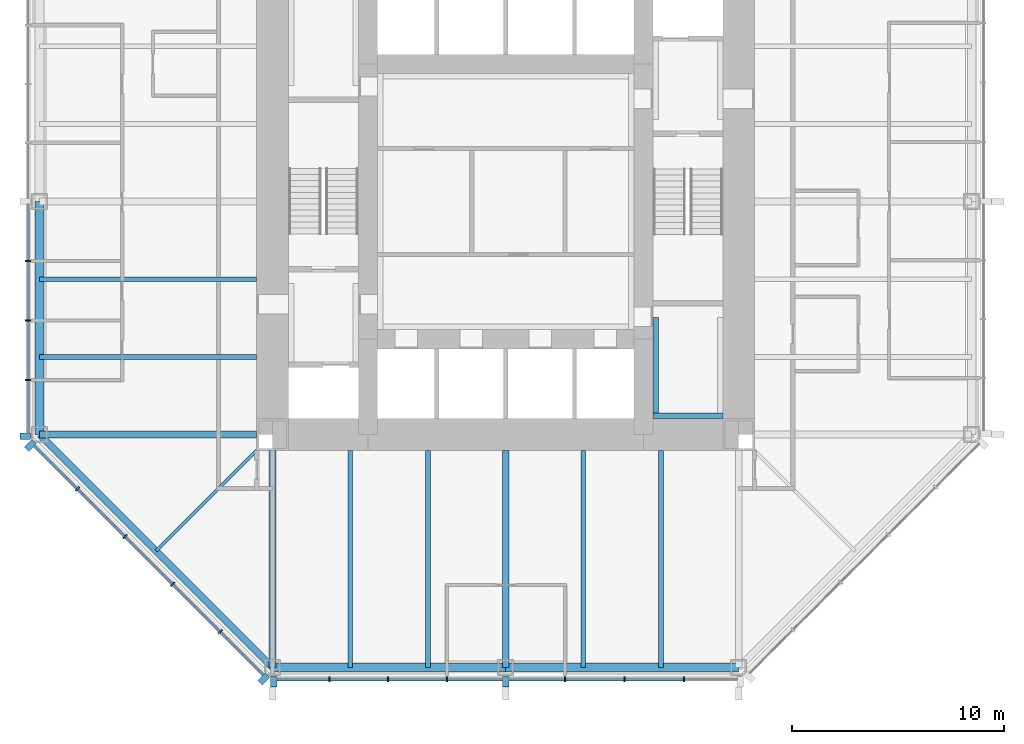
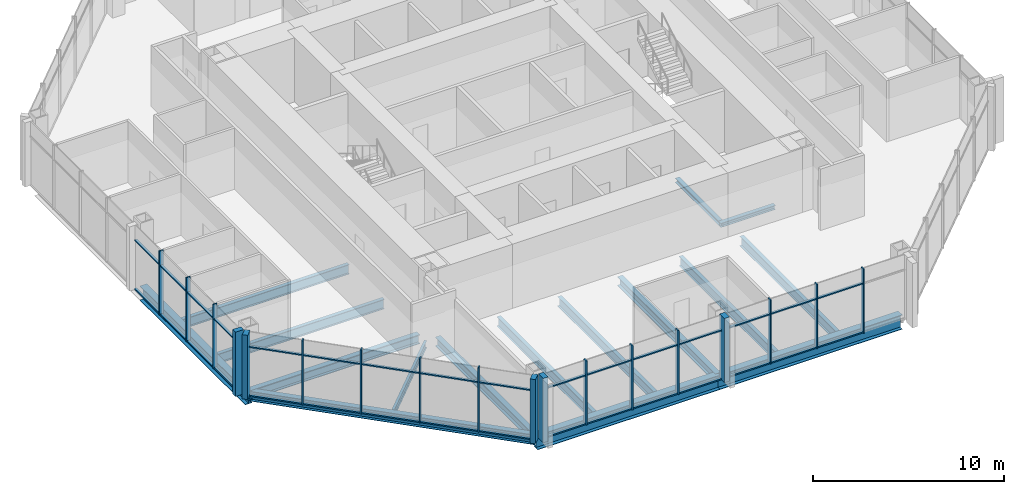
# One storey, part 2 of 12: 50 members, 16 beams, 3 elements without a shape of their own.
"""IFC4 building model written with IfcOpenShell, lengths in metres."""

import ifcopenshell
import ifcopenshell.guid

model = None  # the IFC model being written
_history = None  # IfcOwnerHistory: only IFC2X3 demands one
_inside = {}  # id of a spatial element -> (the spatial element, [elements in it])
_under = {}  # id of a project, library or spatial element -> (it, [spatial elements below it])
_declared = {}  # id of a project -> (the project, [libraries it declares])
_typed = {}  # id of a type object -> (the type object, [elements of that type])
_made_of = {}  # id of a material, layer set ... -> (it, [elements and type objects made of it])


def new_model(schema):
    """Start an empty IFC model of exactly this schema.

    Asked for "IFC4X3", IfcOpenShell would pick the latest addendum, in which some entities
    have other attributes; the version numbers below select the first issue.
    IFC2X3 requires an IfcOwnerHistory on every rooted entity: one is made here for all.
    """
    global model, _history
    if schema == "IFC4X3":
        model = ifcopenshell.file(schema_version=(4, 3, 0, 0))
    else:
        model = ifcopenshell.file(schema=schema)
    _inside.clear()
    _under.clear()
    _declared.clear()
    _typed.clear()
    _made_of.clear()
    _history = None
    if model.schema == "IFC2X3":
        org = make("IfcOrganization", Name="unknown")
        user = make(
            "IfcPersonAndOrganization",
            ThePerson=make("IfcPerson", FamilyName="unknown"),
            TheOrganization=org,
        )
        app = make(
            "IfcApplication",
            ApplicationDeveloper=org,
            Version="unknown",
            ApplicationFullName="unknown",
            ApplicationIdentifier="unknown",
        )
        _history = make(
            "IfcOwnerHistory",
            OwningUser=user,
            OwningApplication=app,
            ChangeAction="ADDED",
            CreationDate=0,
        )
    return model


def make(cls, **values):
    """One entity of the class cls with the attributes given. An attribute that is None is left unset."""
    return model.create_entity(
        cls, **{name: value for name, value in values.items() if value is not None}
    )


def rooted(cls, **values):
    """An entity with a GlobalId (a new one), such as an element, a storey or a relation."""
    return make(cls, GlobalId=ifcopenshell.guid.new(), OwnerHistory=_history, **values)


def si_unit(unit_type, name, prefix=None):
    """IfcSIUnit, for example si_unit("LENGTHUNIT", "METRE", prefix="MILLI")."""
    return make("IfcSIUnit", UnitType=unit_type, Prefix=prefix, Name=name)


def assignment(units):
    """IfcUnitAssignment: the units of a project."""
    return None if units is None else make("IfcUnitAssignment", Units=units)


def point(xyz):
    """IfcCartesianPoint."""
    return None if xyz is None else make("IfcCartesianPoint", Coordinates=xyz)


def direction(xyz):
    """IfcDirection."""
    return None if xyz is None else make("IfcDirection", DirectionRatios=xyz)


def frame(location, z_axis=None, x_axis=None):
    """IfcAxis2Placement3D, a coordinate frame: its origin and axes. An axis left out is left unset."""
    return make(
        "IfcAxis2Placement3D",
        Location=point(location),
        Axis=direction(z_axis),
        RefDirection=direction(x_axis),
    )


def frame_2d(location, x_axis=None):
    """IfcAxis2Placement2D, a coordinate frame in the plane: its origin and x axis."""
    return make(
        "IfcAxis2Placement2D", Location=point(location), RefDirection=direction(x_axis)
    )


def origin():
    """The frame at (0, 0, 0) with its axes left unset."""
    return frame((0.0, 0.0, 0.0))


def origin_2d():
    """The frame at (0, 0) in the plane with its x axis left unset."""
    return frame_2d((0.0, 0.0))


def place(relative_to, where):
    """IfcLocalPlacement: puts the frame where relative to a parent placement (None: the world)."""
    return make(
        "IfcLocalPlacement", PlacementRelTo=relative_to, RelativePlacement=where
    )


def context(
    kind, dimensions, precision=None, world=None, true_north=None, identifier=None
):
    """IfcGeometricRepresentationContext, for example the 3D "Model" context."""
    return make(
        "IfcGeometricRepresentationContext",
        ContextIdentifier=identifier,
        ContextType=kind,
        CoordinateSpaceDimension=dimensions,
        Precision=precision,
        WorldCoordinateSystem=world,
        TrueNorth=true_north,
    )


def subcontext(parent, identifier, kind, view, scale=None):
    """IfcGeometricRepresentationSubContext, for example "Body" below "Model"."""
    return make(
        "IfcGeometricRepresentationSubContext",
        ContextIdentifier=identifier,
        ContextType=kind,
        ParentContext=parent,
        TargetScale=scale,
        TargetView=view,
    )


def project(units=None, contexts=None):
    """IfcProject with its units and contexts."""
    return rooted(
        "IfcProject",
        Name="project",
        RepresentationContexts=contexts,
        UnitsInContext=assignment(units),
    )


def spatial(cls, under=None, at=None, **own):
    """A site, building, storey or space (cls), placed at a placement, below another one or the project."""
    s = rooted(cls, ObjectPlacement=at, **own)
    if under is not None:
        _under.setdefault(under.id(), (under, []))[1].append(s)
    return s


def profile(cls, at=None, kind="AREA", **sizes):
    """A parametric profile (cls). Its sizes go by their IFC names, for example OverallWidth=200.0."""
    return make(cls, ProfileType=kind, Position=at, **sizes)


def rectangle(**sizes):
    """IfcRectangleProfileDef."""
    return profile("IfcRectangleProfileDef", **sizes)


def i_section(**sizes):
    """IfcIShapeProfileDef."""
    return profile("IfcIShapeProfileDef", **sizes)


def extrude(swept, where, along, depth):
    """IfcExtrudedAreaSolid: the profile swept, set in the frame where, extruded along a direction by depth."""
    return make(
        "IfcExtrudedAreaSolid",
        SweptArea=swept,
        Position=where,
        ExtrudedDirection=direction(along),
        Depth=depth,
    )


def shape(context_of_items, identifier, shape_type, items):
    """IfcShapeRepresentation: the items that make up one representation, for example the "Body"."""
    return make(
        "IfcShapeRepresentation",
        ContextOfItems=context_of_items,
        RepresentationIdentifier=identifier,
        RepresentationType=shape_type,
        Items=items,
    )


def material(Name=None, Category=None):
    """IfcMaterial."""
    return make("IfcMaterial", Name=Name, Category=Category)


def material_profile(
    of_material, cross_section, Name=None, Category=None, Priority=None
):
    """IfcMaterialProfile: a cross section and its material."""
    return make(
        "IfcMaterialProfile",
        Name=Name,
        Material=of_material,
        Profile=cross_section,
        Priority=Priority,
        Category=Category,
    )


def profile_set(profiles, Name=None, composite=None):
    """IfcMaterialProfileSet."""
    return make(
        "IfcMaterialProfileSet",
        Name=Name,
        MaterialProfiles=profiles,
        CompositeProfile=composite,
    )


def made_of(thing, what):
    """Note that an element or type object is made of a material, layer set ...; save() writes the relation."""
    if what is not None:
        _made_of.setdefault(what.id(), (what, []))[1].append(thing)
    return thing


def type_object(cls, material=None, **own):
    """A type object (cls), such as IfcWallType, which elements share."""
    return made_of(rooted(cls, **own), material)


def element(
    cls,
    number,
    at=None,
    inside=None,
    cuts=None,
    type_object=None,
    material=None,
    context=None,
    identifier="Body",
    shape_type=None,
    held_by="IfcProductDefinitionShape",
    body=None,
    shapes=None,
    **own,
):
    """One element of the class cls, such as IfcWall. Its Tag is "e" and its number.

    at: its placement. inside: the storey or other place that contains it. cuts: it is an
    opening in that element (IfcRelVoidsElement). A single representation is given by context,
    identifier, shape_type and body (its items); several are given by shapes. held_by: the class
    of the entity that holds the representations. save() writes the other relations.
    """
    e = rooted(cls, Tag="e%d" % number, ObjectPlacement=at, **own)
    if body is not None:
        shapes = [shape(context, identifier, shape_type, body)]
    if shapes is not None:
        e.Representation = make(held_by, Representations=shapes)
    if inside is not None:
        _inside.setdefault(inside.id(), (inside, []))[1].append(e)
    if cuts is not None:
        rooted(
            "IfcRelVoidsElement", RelatingBuildingElement=cuts, RelatedOpeningElement=e
        )
    if type_object is not None:
        _typed.setdefault(type_object.id(), (type_object, []))[1].append(e)
    return made_of(e, material)


def aggregate(whole, parts):
    """IfcRelAggregates: a whole, such as a stair, and the parts it consists of."""
    return rooted("IfcRelAggregates", RelatingObject=whole, RelatedObjects=parts)


def save(model, path):
    """Write the relations noted so far, then the file.

    IfcRelAggregates (storeys below a building ...), IfcRelContainedInSpatialStructure (elements
    in a storey), IfcRelDefinesByType, IfcRelAssociatesMaterial and IfcRelDeclares: one each for
    every whole, place, type object, material and project.
    """
    for whole, parts in _under.values():
        aggregate(whole, parts)
    for where, things in _inside.values():
        rooted(
            "IfcRelContainedInSpatialStructure",
            RelatedElements=things,
            RelatingStructure=where,
        )
    for kind, things in _typed.values():
        rooted("IfcRelDefinesByType", RelatedObjects=things, RelatingType=kind)
    for what, things in _made_of.values():
        rooted("IfcRelAssociatesMaterial", RelatedObjects=things, RelatingMaterial=what)
    for by, libraries in _declared.values():
        rooted("IfcRelDeclares", RelatingContext=by, RelatedDefinitions=libraries)
    model.write(path)


model = new_model("IFC4")

# Units and contexts
model_context = context("Model", 3, precision=1e-05, world=origin(), true_north=direction((0.0, 1.0)))
body_context = subcontext(model_context, "Body", "Model", "MODEL_VIEW")
ifc_project = project(units=[si_unit("LENGTHUNIT", "METRE"), si_unit("AREAUNIT", "SQUARE_METRE"), si_unit("VOLUMEUNIT", "CUBIC_METRE"), si_unit("PLANEANGLEUNIT", "RADIAN"), si_unit("MASSUNIT", "GRAM", prefix="KILO")], contexts=[model_context])

# Site, building, storey
site_placement = place(None, origin())
site = spatial("IfcSite", under=ifc_project, at=site_placement, CompositionType="ELEMENT")
building_placement = place(site_placement, origin())
building = spatial("IfcBuilding", under=site, at=building_placement, Name="Trevanion Tower", CompositionType="ELEMENT")
storey_placement = place(building_placement, frame((0.0, 0.0, 125.39990234375)))
storey = spatial("IfcBuildingStorey", under=building, at=storey_placement, Name="L29", CompositionType="ELEMENT", Elevation=125.39990234375)

# Beams
ifc_material_1 = material(Name="Steel ASTM A992 Grade 50", Category="steel")
ifc_material_profile_1 = material_profile(ifc_material_1, i_section(OverallWidth=0.22900390625, OverallDepth=0.612060546875, WebThickness=0.011962890625, FlangeThickness=0.01953125, at=origin_2d()), Name="W24X84")
ifc_profile_set_1 = profile_set([ifc_material_profile_1], Name="Steel ASTM A992 Grade 50")
beam_type_1 = type_object("IfcBeamType", Name="B7 W24X84", PredefinedType="BEAM", material=ifc_profile_set_1)
for number, where, z_axis, x_axis, name in (
    (1, (-11.75, -3.666748046875, -0.49609375), (-1.0, 0.0, 0.0), (0.0, -1.0, 0.0), "B7 L29"),
    (2, (-11.75, -7.333251953125, -0.49609375), (-1.0, 0.0, 0.0), (0.0, -1.0, 0.0), "B7 L29"),
    (3, (-7.333251953125, -11.75, -0.49609375), (0.0, -1.0, 0.0), (1.0, 0.0, 0.0), "B7 L29"),
    (4, (-3.666748046875, -11.75, -0.49609375), (0.0, -1.0, 0.0), (1.0, 0.0, 0.0), "B7 L29"),
    (5, (3.666748046875, -11.75, -0.49609375), (0.0, -1.0, 0.0), (1.0, 0.0, 0.0), "B7 L29"),
    (6, (7.333251953125, -11.75, -0.49609375), (0.0, -1.0, 0.0), (1.0, 0.0, 0.0), "B7 L29"),
):
    element("IfcBeam", number, at=place(storey_placement, frame(where, z_axis=z_axis, x_axis=x_axis)), inside=storey, type_object=beam_type_1, Name=name, PredefinedType="BEAM", context=body_context, shape_type="SweptSolid", body=[
        extrude(i_section(OverallWidth=0.22900390625, OverallDepth=0.612060546875, WebThickness=0.011962890625, FlangeThickness=0.01953125, at=origin_2d()), origin(), (0.0, 0.0, 1.0), 10.25),
    ])
ifc_material_2 = material(Name="Steel ASTM A992 Grade 50", Category="steel")
ifc_material_profile_2 = material_profile(ifc_material_2, i_section(OverallWidth=0.15234375, OverallDepth=0.449462890625, WebThickness=0.007568359375, FlangeThickness=0.0107421875, at=origin_2d()), Name="W18X35")
ifc_profile_set_2 = profile_set([ifc_material_profile_2], Name="Steel ASTM A992 Grade 50")
beam_type_2 = type_object("IfcBeamType", Name="B8 W18X35", PredefinedType="BEAM", material=ifc_profile_set_2)
beam_1_placement = place(storey_placement, frame((-11.75, -11.75, -0.414794921875), z_axis=(-0.707106781187, -0.707106781187, 0.0), x_axis=(0.707106781187, -0.707106781187, 0.0)))
element("IfcBeam", 7, at=beam_1_placement, inside=storey, type_object=beam_type_2, Name="B8 L29", PredefinedType="BEAM", context=body_context, shape_type="SweptSolid", body=[
    extrude(i_section(OverallWidth=0.15234375, OverallDepth=0.449462890625, WebThickness=0.007568359375, FlangeThickness=0.0107421875, at=origin_2d()), origin(), (0.0, 0.0, 1.0), 6.717529296875),
])

# Curtain wall, members
ifc_material_3 = material(Name="Aluminium and glass", Category="aluminium")
curtain_wall_type = type_object("IfcCurtainWallType", Name="CW2 curtain wall", PredefinedType="USERDEFINED", material=ifc_material_3)
curtain_wall_1_placement = place(storey_placement, origin())
curtain_wall_1 = element("IfcCurtainWall", 8, at=curtain_wall_1_placement, inside=storey, type_object=curtain_wall_type, Name="CW2 L29 4", ObjectType="UNITISED CURTAIN WALL", PredefinedType="USERDEFINED")
ifc_material_4 = material(Name="Aluminium extrusion, anodised bronze", Category="aluminium")
ifc_material_profile_3 = material_profile(ifc_material_4, rectangle(XDim=0.074951171875, YDim=0.25, at=origin_2d()), Name="CW2 mullion")
ifc_profile_set_3 = profile_set([ifc_material_profile_3], Name="Aluminium extrusion, anodised bronze")
member_type_1 = type_object("IfcMemberType", Name="CW2 mullion", PredefinedType="MULLION", material=ifc_profile_set_3)
member_1_placement = place(storey_placement, frame((-22.550048828125, -2.806884765625, -0.18994140625), z_axis=(0.0, 0.0, 1.0), x_axis=(0.0, -1.0, 0.0)))
member_1 = element("IfcMember", 9, at=member_1_placement, type_object=member_type_1, Name="CW2 mullion 6", PredefinedType="MULLION", context=body_context, shape_type="SweptSolid", body=[
    extrude(rectangle(XDim=0.074951171875, YDim=0.25, at=origin_2d()), origin(), (0.0, 0.0, 1.0), 4.10009765625),
])
member_2_placement = place(storey_placement, frame((-22.550048828125, -5.614013671875, -0.18994140625), z_axis=(0.0, 0.0, 1.0), x_axis=(0.0, -1.0, 0.0)))
member_2 = element("IfcMember", 10, at=member_2_placement, type_object=member_type_1, Name="CW2 mullion 7", PredefinedType="MULLION", context=body_context, shape_type="SweptSolid", body=[
    extrude(rectangle(XDim=0.074951171875, YDim=0.25, at=origin_2d()), origin(), (0.0, 0.0, 1.0), 4.10009765625),
])
member_3_placement = place(storey_placement, frame((-22.550048828125, -8.4208984375, -0.18994140625), z_axis=(0.0, 0.0, 1.0), x_axis=(0.0, -1.0, 0.0)))
member_3 = element("IfcMember", 11, at=member_3_placement, type_object=member_type_1, Name="CW2 mullion 8", PredefinedType="MULLION", context=body_context, shape_type="SweptSolid", body=[
    extrude(rectangle(XDim=0.074951171875, YDim=0.25, at=origin_2d()), origin(), (0.0, 0.0, 1.0), 4.10009765625),
])

curtain_wall_2_placement = place(storey_placement, origin())
curtain_wall_2 = element("IfcCurtainWall", 12, at=curtain_wall_2_placement, inside=storey, type_object=curtain_wall_type, Name="CW2 L29 5", ObjectType="UNITISED CURTAIN WALL", PredefinedType="USERDEFINED")
member_4_placement = place(storey_placement, frame((-20.2119140625, -13.56591796875, -0.18994140625), z_axis=(0.0, 0.0, 1.0), x_axis=(0.707106781187, -0.707106781187, 0.0)))
member_4 = element("IfcMember", 13, at=member_4_placement, type_object=member_type_1, Name="CW2 mullion 2", PredefinedType="MULLION", context=body_context, shape_type="SweptSolid", body=[
    extrude(rectangle(XDim=0.074951171875, YDim=0.25, at=origin_2d()), origin(), (0.0, 0.0, 1.0), 4.10009765625),
])
member_5_placement = place(storey_placement, frame((-17.966064453125, -15.811767578125, -0.18994140625), z_axis=(0.0, 0.0, 1.0), x_axis=(0.707106781187, -0.707106781187, 0.0)))
member_5 = element("IfcMember", 14, at=member_5_placement, type_object=member_type_1, Name="CW2 mullion 3", PredefinedType="MULLION", context=body_context, shape_type="SweptSolid", body=[
    extrude(rectangle(XDim=0.074951171875, YDim=0.25, at=origin_2d()), origin(), (0.0, 0.0, 1.0), 4.10009765625),
])
member_6_placement = place(storey_placement, frame((-15.719970703125, -18.057861328125, -0.18994140625), z_axis=(0.0, 0.0, 1.0), x_axis=(0.707106781187, -0.707106781187, 0.0)))
member_6 = element("IfcMember", 15, at=member_6_placement, type_object=member_type_1, Name="CW2 mullion 4", PredefinedType="MULLION", context=body_context, shape_type="SweptSolid", body=[
    extrude(rectangle(XDim=0.074951171875, YDim=0.25, at=origin_2d()), origin(), (0.0, 0.0, 1.0), 4.10009765625),
])
member_7_placement = place(storey_placement, frame((-13.473876953125, -20.303955078125, -0.18994140625), z_axis=(0.0, 0.0, 1.0), x_axis=(0.707106781187, -0.707106781187, 0.0)))
member_7 = element("IfcMember", 16, at=member_7_placement, type_object=member_type_1, Name="CW2 mullion 5", PredefinedType="MULLION", context=body_context, shape_type="SweptSolid", body=[
    extrude(rectangle(XDim=0.074951171875, YDim=0.25, at=origin_2d()), origin(), (0.0, 0.0, 1.0), 4.10009765625),
])

curtain_wall_3_placement = place(storey_placement, origin())
curtain_wall_3 = element("IfcCurtainWall", 17, at=curtain_wall_3_placement, inside=storey, type_object=curtain_wall_type, Name="CW2 L29 6", ObjectType="UNITISED CURTAIN WALL", PredefinedType="USERDEFINED")
member_8_placement = place(storey_placement, frame((-8.323486328125, -22.550048828125, -0.18994140625), z_axis=(0.0, 0.0, 1.0), x_axis=(1.0, 0.0, 0.0)))
member_8 = element("IfcMember", 18, at=member_8_placement, type_object=member_type_1, Name="CW2 mullion 2", PredefinedType="MULLION", context=body_context, shape_type="SweptSolid", body=[
    extrude(rectangle(XDim=0.074951171875, YDim=0.25, at=origin_2d()), origin(), (0.0, 0.0, 1.0), 4.10009765625),
])
member_9_placement = place(storey_placement, frame((-5.548828125, -22.550048828125, -0.18994140625), z_axis=(0.0, 0.0, 1.0), x_axis=(1.0, 0.0, 0.0)))
member_9 = element("IfcMember", 19, at=member_9_placement, type_object=member_type_1, Name="CW2 mullion 3", PredefinedType="MULLION", context=body_context, shape_type="SweptSolid", body=[
    extrude(rectangle(XDim=0.074951171875, YDim=0.25, at=origin_2d()), origin(), (0.0, 0.0, 1.0), 4.10009765625),
])
member_10_placement = place(storey_placement, frame((-2.7744140625, -22.550048828125, -0.18994140625), z_axis=(0.0, 0.0, 1.0), x_axis=(1.0, 0.0, 0.0)))
member_10 = element("IfcMember", 20, at=member_10_placement, type_object=member_type_1, Name="CW2 mullion 4", PredefinedType="MULLION", context=body_context, shape_type="SweptSolid", body=[
    extrude(rectangle(XDim=0.074951171875, YDim=0.25, at=origin_2d()), origin(), (0.0, 0.0, 1.0), 4.10009765625),
])
member_11_placement = place(storey_placement, frame((2.806884765625, -22.550048828125, -0.18994140625), z_axis=(0.0, 0.0, 1.0), x_axis=(1.0, 0.0, 0.0)))
member_11 = element("IfcMember", 21, at=member_11_placement, type_object=member_type_1, Name="CW2 mullion 6", PredefinedType="MULLION", context=body_context, shape_type="SweptSolid", body=[
    extrude(rectangle(XDim=0.074951171875, YDim=0.25, at=origin_2d()), origin(), (0.0, 0.0, 1.0), 4.10009765625),
])
member_12_placement = place(storey_placement, frame((5.614013671875, -22.550048828125, -0.18994140625), z_axis=(0.0, 0.0, 1.0), x_axis=(1.0, 0.0, 0.0)))
member_12 = element("IfcMember", 22, at=member_12_placement, type_object=member_type_1, Name="CW2 mullion 7", PredefinedType="MULLION", context=body_context, shape_type="SweptSolid", body=[
    extrude(rectangle(XDim=0.074951171875, YDim=0.25, at=origin_2d()), origin(), (0.0, 0.0, 1.0), 4.10009765625),
])
member_13_placement = place(storey_placement, frame((8.4208984375, -22.550048828125, -0.18994140625), z_axis=(0.0, 0.0, 1.0), x_axis=(1.0, 0.0, 0.0)))
member_13 = element("IfcMember", 23, at=member_13_placement, type_object=member_type_1, Name="CW2 mullion 8", PredefinedType="MULLION", context=body_context, shape_type="SweptSolid", body=[
    extrude(rectangle(XDim=0.074951171875, YDim=0.25, at=origin_2d()), origin(), (0.0, 0.0, 1.0), 4.10009765625),
])

# Member
ifc_material_5 = material(Name="Aluminium extrusion, anodised bronze", Category="aluminium")
ifc_material_profile_4 = material_profile(ifc_material_5, rectangle(XDim=0.300048828125, YDim=0.5, at=origin_2d()), Name="CW2 pier mullion")
ifc_profile_set_4 = profile_set([ifc_material_profile_4], Name="Aluminium extrusion, anodised bronze")
member_type_2 = type_object("IfcMemberType", Name="CW2 pier mullion", PredefinedType="MULLION", material=ifc_profile_set_4)
member_14_placement = place(storey_placement, frame((-22.675048828125, -11.077880859375, -0.18994140625), z_axis=(0.0, 0.0, 1.0), x_axis=(0.0, -1.0, 0.0)))
member_14 = element("IfcMember", 24, at=member_14_placement, type_object=member_type_2, Name="CW2 pier mullion 9", PredefinedType="MULLION", context=body_context, shape_type="SweptSolid", body=[
    extrude(rectangle(XDim=0.300048828125, YDim=0.5, at=origin_2d()), origin(), (0.0, 0.0, 1.0), 4.10009765625),
])

member_15_placement = place(storey_placement, frame((-22.4404296875, -11.51416015625, -0.18994140625), z_axis=(0.0, 0.0, 1.0), x_axis=(0.707106781187, -0.707106781187, 0.0)))
member_15 = element("IfcMember", 25, at=member_15_placement, type_object=member_type_2, Name="CW2 pier mullion 1", PredefinedType="MULLION", context=body_context, shape_type="SweptSolid", body=[
    extrude(rectangle(XDim=0.300048828125, YDim=0.5, at=origin_2d()), origin(), (0.0, 0.0, 1.0), 4.10009765625),
])

member_16_placement = place(storey_placement, frame((-11.42236328125, -22.5322265625, -0.18994140625), z_axis=(0.0, 0.0, 1.0), x_axis=(0.707106781187, -0.707106781187, 0.0)))
member_16 = element("IfcMember", 26, at=member_16_placement, type_object=member_type_2, Name="CW2 pier mullion 6", PredefinedType="MULLION", context=body_context, shape_type="SweptSolid", body=[
    extrude(rectangle(XDim=0.300048828125, YDim=0.5, at=origin_2d()), origin(), (0.0, 0.0, 1.0), 4.10009765625),
])

member_17_placement = place(storey_placement, frame((-10.94775390625, -22.675048828125, -0.18994140625), z_axis=(0.0, 0.0, 1.0), x_axis=(1.0, 0.0, 0.0)))
member_17 = element("IfcMember", 27, at=member_17_placement, type_object=member_type_2, Name="CW2 pier mullion 1", PredefinedType="MULLION", context=body_context, shape_type="SweptSolid", body=[
    extrude(rectangle(XDim=0.300048828125, YDim=0.5, at=origin_2d()), origin(), (0.0, 0.0, 1.0), 4.10009765625),
])

member_18_placement = place(storey_placement, frame((0.0, -22.675048828125, -0.18994140625), z_axis=(0.0, 0.0, 1.0), x_axis=(1.0, 0.0, 0.0)))
member_18 = element("IfcMember", 28, at=member_18_placement, type_object=member_type_2, Name="CW2 pier mullion 5", PredefinedType="MULLION", context=body_context, shape_type="SweptSolid", body=[
    extrude(rectangle(XDim=0.300048828125, YDim=0.5, at=origin_2d()), origin(), (0.0, 0.0, 1.0), 4.10009765625),
])

ifc_material_6 = material(Name="Aluminium extrusion, anodised bronze", Category="aluminium")
ifc_material_profile_5 = material_profile(ifc_material_6, rectangle(XDim=0.14990234375, YDim=0.074951171875, at=origin_2d()), Name="CW2 transom")
ifc_profile_set_5 = profile_set([ifc_material_profile_5], Name="Aluminium extrusion, anodised bronze")
member_type_3 = type_object("IfcMemberType", Name="CW2 transom", PredefinedType="USERDEFINED", material=ifc_profile_set_5)
member_19_placement = place(storey_placement, frame((-22.550048828125, -0.14990234375, -0.15234375), z_axis=(0.0, -1.0, 0.0), x_axis=(1.0, 0.0, 0.0)))
member_19 = element("IfcMember", 29, at=member_19_placement, type_object=member_type_3, Name="CW2 transom 5.1", ObjectType="TRANSOM", PredefinedType="USERDEFINED", context=body_context, shape_type="SweptSolid", body=[
    extrude(rectangle(XDim=0.14990234375, YDim=0.074951171875, at=origin_2d()), origin(), (0.0, 0.0, 1.0), 2.619384765625),
])

member_20_placement = place(storey_placement, frame((-22.550048828125, -0.14990234375, 2.960205078125), z_axis=(0.0, -1.0, 0.0), x_axis=(1.0, 0.0, 0.0)))
member_20 = element("IfcMember", 30, at=member_20_placement, type_object=member_type_3, Name="CW2 transom 5.2", ObjectType="TRANSOM", PredefinedType="USERDEFINED", context=body_context, shape_type="SweptSolid", body=[
    extrude(rectangle(XDim=0.14990234375, YDim=0.074951171875, at=origin_2d()), origin(), (0.0, 0.0, 1.0), 2.619384765625),
])

member_21_placement = place(storey_placement, frame((-22.550048828125, -2.844482421875, -0.15234375), z_axis=(0.0, -1.0, 0.0), x_axis=(1.0, 0.0, 0.0)))
member_21 = element("IfcMember", 31, at=member_21_placement, type_object=member_type_3, Name="CW2 transom 6.1", ObjectType="TRANSOM", PredefinedType="USERDEFINED", context=body_context, shape_type="SweptSolid", body=[
    extrude(rectangle(XDim=0.14990234375, YDim=0.074951171875, at=origin_2d()), origin(), (0.0, 0.0, 1.0), 2.73193359375),
])

member_22_placement = place(storey_placement, frame((-22.550048828125, -2.844482421875, 2.960205078125), z_axis=(0.0, -1.0, 0.0), x_axis=(1.0, 0.0, 0.0)))
member_22 = element("IfcMember", 32, at=member_22_placement, type_object=member_type_3, Name="CW2 transom 6.2", ObjectType="TRANSOM", PredefinedType="USERDEFINED", context=body_context, shape_type="SweptSolid", body=[
    extrude(rectangle(XDim=0.14990234375, YDim=0.074951171875, at=origin_2d()), origin(), (0.0, 0.0, 1.0), 2.73193359375),
])

member_23_placement = place(storey_placement, frame((-22.550048828125, -5.6513671875, -0.15234375), z_axis=(0.0, -1.0, 0.0), x_axis=(1.0, 0.0, 0.0)))
member_23 = element("IfcMember", 33, at=member_23_placement, type_object=member_type_3, Name="CW2 transom 7.1", ObjectType="TRANSOM", PredefinedType="USERDEFINED", context=body_context, shape_type="SweptSolid", body=[
    extrude(rectangle(XDim=0.14990234375, YDim=0.074951171875, at=origin_2d()), origin(), (0.0, 0.0, 1.0), 2.73193359375),
])

member_24_placement = place(storey_placement, frame((-22.550048828125, -5.6513671875, 2.960205078125), z_axis=(0.0, -1.0, 0.0), x_axis=(1.0, 0.0, 0.0)))
member_24 = element("IfcMember", 34, at=member_24_placement, type_object=member_type_3, Name="CW2 transom 7.2", ObjectType="TRANSOM", PredefinedType="USERDEFINED", context=body_context, shape_type="SweptSolid", body=[
    extrude(rectangle(XDim=0.14990234375, YDim=0.074951171875, at=origin_2d()), origin(), (0.0, 0.0, 1.0), 2.73193359375),
])

member_25_placement = place(storey_placement, frame((-22.550048828125, -8.45849609375, -0.15234375), z_axis=(0.0, -1.0, 0.0), x_axis=(1.0, 0.0, 0.0)))
member_25 = element("IfcMember", 35, at=member_25_placement, type_object=member_type_3, Name="CW2 transom 8.1", ObjectType="TRANSOM", PredefinedType="USERDEFINED", context=body_context, shape_type="SweptSolid", body=[
    extrude(rectangle(XDim=0.14990234375, YDim=0.074951171875, at=origin_2d()), origin(), (0.0, 0.0, 1.0), 2.46923828125),
])

member_26_placement = place(storey_placement, frame((-22.550048828125, -8.45849609375, 2.960205078125), z_axis=(0.0, -1.0, 0.0), x_axis=(1.0, 0.0, 0.0)))
member_26 = element("IfcMember", 36, at=member_26_placement, type_object=member_type_3, Name="CW2 transom 8.2", ObjectType="TRANSOM", PredefinedType="USERDEFINED", context=body_context, shape_type="SweptSolid", body=[
    extrude(rectangle(XDim=0.14990234375, YDim=0.074951171875, at=origin_2d()), origin(), (0.0, 0.0, 1.0), 2.46923828125),
])

aggregate(curtain_wall_1, [member_1, member_2, member_3, member_14, member_19, member_20, member_21, member_22, member_23, member_24, member_25, member_26])

member_27_placement = place(storey_placement, frame((-22.245849609375, -11.531982421875, -0.15234375), z_axis=(0.707106781187, -0.707106781187, 0.0), x_axis=(0.707106781187, 0.707106781187, 0.0)))
member_27 = element("IfcMember", 37, at=member_27_placement, type_object=member_type_3, Name="CW2 transom 1.1", ObjectType="TRANSOM", PredefinedType="USERDEFINED", context=body_context, shape_type="SweptSolid", body=[
    extrude(rectangle(XDim=0.14990234375, YDim=0.074951171875, at=origin_2d()), origin(), (0.0, 0.0, 1.0), 2.8388671875),
])

member_28_placement = place(storey_placement, frame((-22.245849609375, -11.531982421875, 2.960205078125), z_axis=(0.707106781187, -0.707106781187, 0.0), x_axis=(0.707106781187, 0.707106781187, 0.0)))
member_28 = element("IfcMember", 38, at=member_28_placement, type_object=member_type_3, Name="CW2 transom 1.2", ObjectType="TRANSOM", PredefinedType="USERDEFINED", context=body_context, shape_type="SweptSolid", body=[
    extrude(rectangle(XDim=0.14990234375, YDim=0.074951171875, at=origin_2d()), origin(), (0.0, 0.0, 1.0), 2.8388671875),
])

member_29_placement = place(storey_placement, frame((-20.185546875, -13.59228515625, -0.15234375), z_axis=(0.707106781187, -0.707106781187, 0.0), x_axis=(0.707106781187, 0.707106781187, 0.0)))
member_29 = element("IfcMember", 39, at=member_29_placement, type_object=member_type_3, Name="CW2 transom 2.1", ObjectType="TRANSOM", PredefinedType="USERDEFINED", context=body_context, shape_type="SweptSolid", body=[
    extrude(rectangle(XDim=0.14990234375, YDim=0.074951171875, at=origin_2d()), origin(), (0.0, 0.0, 1.0), 3.1015625),
])

member_30_placement = place(storey_placement, frame((-20.185546875, -13.59228515625, 2.960205078125), z_axis=(0.707106781187, -0.707106781187, 0.0), x_axis=(0.707106781187, 0.707106781187, 0.0)))
member_30 = element("IfcMember", 40, at=member_30_placement, type_object=member_type_3, Name="CW2 transom 2.2", ObjectType="TRANSOM", PredefinedType="USERDEFINED", context=body_context, shape_type="SweptSolid", body=[
    extrude(rectangle(XDim=0.14990234375, YDim=0.074951171875, at=origin_2d()), origin(), (0.0, 0.0, 1.0), 3.1015625),
])

member_31_placement = place(storey_placement, frame((-17.939453125, -15.83837890625, -0.15234375), z_axis=(0.707106781187, -0.707106781187, 0.0), x_axis=(0.707106781187, 0.707106781187, 0.0)))
member_31 = element("IfcMember", 41, at=member_31_placement, type_object=member_type_3, Name="CW2 transom 3.1", ObjectType="TRANSOM", PredefinedType="USERDEFINED", context=body_context, shape_type="SweptSolid", body=[
    extrude(rectangle(XDim=0.14990234375, YDim=0.074951171875, at=origin_2d()), origin(), (0.0, 0.0, 1.0), 3.1015625),
])

member_32_placement = place(storey_placement, frame((-17.939453125, -15.83837890625, 2.960205078125), z_axis=(0.707106781187, -0.707106781187, 0.0), x_axis=(0.707106781187, 0.707106781187, 0.0)))
member_32 = element("IfcMember", 42, at=member_32_placement, type_object=member_type_3, Name="CW2 transom 3.2", ObjectType="TRANSOM", PredefinedType="USERDEFINED", context=body_context, shape_type="SweptSolid", body=[
    extrude(rectangle(XDim=0.14990234375, YDim=0.074951171875, at=origin_2d()), origin(), (0.0, 0.0, 1.0), 3.1015625),
])

member_33_placement = place(storey_placement, frame((-15.693359375, -18.08447265625, -0.15234375), z_axis=(0.707106781187, -0.707106781187, 0.0), x_axis=(0.707106781187, 0.707106781187, 0.0)))
member_33 = element("IfcMember", 43, at=member_33_placement, type_object=member_type_3, Name="CW2 transom 4.1", ObjectType="TRANSOM", PredefinedType="USERDEFINED", context=body_context, shape_type="SweptSolid", body=[
    extrude(rectangle(XDim=0.14990234375, YDim=0.074951171875, at=origin_2d()), origin(), (0.0, 0.0, 1.0), 3.10107421875),
])

member_34_placement = place(storey_placement, frame((-15.693359375, -18.08447265625, 2.960205078125), z_axis=(0.707106781187, -0.707106781187, 0.0), x_axis=(0.707106781187, 0.707106781187, 0.0)))
member_34 = element("IfcMember", 44, at=member_34_placement, type_object=member_type_3, Name="CW2 transom 4.2", ObjectType="TRANSOM", PredefinedType="USERDEFINED", context=body_context, shape_type="SweptSolid", body=[
    extrude(rectangle(XDim=0.14990234375, YDim=0.074951171875, at=origin_2d()), origin(), (0.0, 0.0, 1.0), 3.10107421875),
])

member_35_placement = place(storey_placement, frame((-13.447509765625, -20.33056640625, -0.15234375), z_axis=(0.707149778163, -0.707063781595, 0.0), x_axis=(0.707063781595, 0.707149778163, 0.0)))
member_35 = element("IfcMember", 45, at=member_35_placement, type_object=member_type_3, Name="CW2 transom 5.1", ObjectType="TRANSOM", PredefinedType="USERDEFINED", context=body_context, shape_type="SweptSolid", body=[
    extrude(rectangle(XDim=0.14990234375, YDim=0.074951171875, at=origin_2d()), origin(), (0.0, 0.0, 1.0), 2.8388671875),
])

member_36_placement = place(storey_placement, frame((-13.447509765625, -20.33056640625, 2.960205078125), z_axis=(0.707149778163, -0.707063781595, 0.0), x_axis=(0.707063781595, 0.707149778163, 0.0)))
member_36 = element("IfcMember", 46, at=member_36_placement, type_object=member_type_3, Name="CW2 transom 5.2", ObjectType="TRANSOM", PredefinedType="USERDEFINED", context=body_context, shape_type="SweptSolid", body=[
    extrude(rectangle(XDim=0.14990234375, YDim=0.074951171875, at=origin_2d()), origin(), (0.0, 0.0, 1.0), 2.8388671875),
])

aggregate(curtain_wall_2, [member_15, member_4, member_5, member_6, member_7, member_16, member_27, member_28, member_29, member_30, member_31, member_32, member_33, member_34, member_35, member_36])

member_37_placement = place(storey_placement, frame((-10.7978515625, -22.550048828125, -0.15234375), z_axis=(1.0, 0.0, 0.0), x_axis=(0.0, 1.0, 0.0)))
member_37 = element("IfcMember", 47, at=member_37_placement, type_object=member_type_3, Name="CW2 transom 1.1", ObjectType="TRANSOM", PredefinedType="USERDEFINED", context=body_context, shape_type="SweptSolid", body=[
    extrude(rectangle(XDim=0.14990234375, YDim=0.074951171875, at=origin_2d()), origin(), (0.0, 0.0, 1.0), 2.43701171875),
])

member_38_placement = place(storey_placement, frame((-10.7978515625, -22.550048828125, 2.960205078125), z_axis=(1.0, 0.0, 0.0), x_axis=(0.0, 1.0, 0.0)))
member_38 = element("IfcMember", 48, at=member_38_placement, type_object=member_type_3, Name="CW2 transom 1.2", ObjectType="TRANSOM", PredefinedType="USERDEFINED", context=body_context, shape_type="SweptSolid", body=[
    extrude(rectangle(XDim=0.14990234375, YDim=0.074951171875, at=origin_2d()), origin(), (0.0, 0.0, 1.0), 2.43701171875),
])

member_39_placement = place(storey_placement, frame((-8.285888671875, -22.550048828125, -0.15234375), z_axis=(1.0, 0.0, 0.0), x_axis=(0.0, 1.0, 0.0)))
member_39 = element("IfcMember", 49, at=member_39_placement, type_object=member_type_3, Name="CW2 transom 2.1", ObjectType="TRANSOM", PredefinedType="USERDEFINED", context=body_context, shape_type="SweptSolid", body=[
    extrude(rectangle(XDim=0.14990234375, YDim=0.074951171875, at=origin_2d()), origin(), (0.0, 0.0, 1.0), 2.699462890625),
])

member_40_placement = place(storey_placement, frame((-8.285888671875, -22.550048828125, 2.960205078125), z_axis=(1.0, 0.0, 0.0), x_axis=(0.0, 1.0, 0.0)))
member_40 = element("IfcMember", 50, at=member_40_placement, type_object=member_type_3, Name="CW2 transom 2.2", ObjectType="TRANSOM", PredefinedType="USERDEFINED", context=body_context, shape_type="SweptSolid", body=[
    extrude(rectangle(XDim=0.14990234375, YDim=0.074951171875, at=origin_2d()), origin(), (0.0, 0.0, 1.0), 2.699462890625),
])

member_41_placement = place(storey_placement, frame((-5.511474609375, -22.550048828125, -0.15234375), z_axis=(1.0, 0.0, 0.0), x_axis=(0.0, 1.0, 0.0)))
member_41 = element("IfcMember", 51, at=member_41_placement, type_object=member_type_3, Name="CW2 transom 3.1", ObjectType="TRANSOM", PredefinedType="USERDEFINED", context=body_context, shape_type="SweptSolid", body=[
    extrude(rectangle(XDim=0.14990234375, YDim=0.074951171875, at=origin_2d()), origin(), (0.0, 0.0, 1.0), 2.699462890625),
])

member_42_placement = place(storey_placement, frame((-5.511474609375, -22.550048828125, 2.960205078125), z_axis=(1.0, 0.0, 0.0), x_axis=(0.0, 1.0, 0.0)))
member_42 = element("IfcMember", 52, at=member_42_placement, type_object=member_type_3, Name="CW2 transom 3.2", ObjectType="TRANSOM", PredefinedType="USERDEFINED", context=body_context, shape_type="SweptSolid", body=[
    extrude(rectangle(XDim=0.14990234375, YDim=0.074951171875, at=origin_2d()), origin(), (0.0, 0.0, 1.0), 2.699462890625),
])

member_43_placement = place(storey_placement, frame((-2.737060546875, -22.550048828125, -0.15234375), z_axis=(1.0, 0.0, 0.0), x_axis=(0.0, 1.0, 0.0)))
member_43 = element("IfcMember", 53, at=member_43_placement, type_object=member_type_3, Name="CW2 transom 4.1", ObjectType="TRANSOM", PredefinedType="USERDEFINED", context=body_context, shape_type="SweptSolid", body=[
    extrude(rectangle(XDim=0.14990234375, YDim=0.074951171875, at=origin_2d()), origin(), (0.0, 0.0, 1.0), 2.587158203125),
])

member_44_placement = place(storey_placement, frame((-2.737060546875, -22.550048828125, 2.960205078125), z_axis=(1.0, 0.0, 0.0), x_axis=(0.0, 1.0, 0.0)))
member_44 = element("IfcMember", 54, at=member_44_placement, type_object=member_type_3, Name="CW2 transom 4.2", ObjectType="TRANSOM", PredefinedType="USERDEFINED", context=body_context, shape_type="SweptSolid", body=[
    extrude(rectangle(XDim=0.14990234375, YDim=0.074951171875, at=origin_2d()), origin(), (0.0, 0.0, 1.0), 2.587158203125),
])

member_45_placement = place(storey_placement, frame((0.14990234375, -22.550048828125, -0.15234375), z_axis=(1.0, 0.0, 0.0), x_axis=(0.0, 1.0, 0.0)))
member_45 = element("IfcMember", 55, at=member_45_placement, type_object=member_type_3, Name="CW2 transom 5.1", ObjectType="TRANSOM", PredefinedType="USERDEFINED", context=body_context, shape_type="SweptSolid", body=[
    extrude(rectangle(XDim=0.14990234375, YDim=0.074951171875, at=origin_2d()), origin(), (0.0, 0.0, 1.0), 2.619384765625),
])

member_46_placement = place(storey_placement, frame((0.14990234375, -22.550048828125, 2.960205078125), z_axis=(1.0, 0.0, 0.0), x_axis=(0.0, 1.0, 0.0)))
member_46 = element("IfcMember", 56, at=member_46_placement, type_object=member_type_3, Name="CW2 transom 5.2", ObjectType="TRANSOM", PredefinedType="USERDEFINED", context=body_context, shape_type="SweptSolid", body=[
    extrude(rectangle(XDim=0.14990234375, YDim=0.074951171875, at=origin_2d()), origin(), (0.0, 0.0, 1.0), 2.619384765625),
])

member_47_placement = place(storey_placement, frame((2.844482421875, -22.550048828125, -0.15234375), z_axis=(1.0, 0.0, 0.0), x_axis=(0.0, 1.0, 0.0)))
member_47 = element("IfcMember", 57, at=member_47_placement, type_object=member_type_3, Name="CW2 transom 6.1", ObjectType="TRANSOM", PredefinedType="USERDEFINED", context=body_context, shape_type="SweptSolid", body=[
    extrude(rectangle(XDim=0.14990234375, YDim=0.074951171875, at=origin_2d()), origin(), (0.0, 0.0, 1.0), 2.73193359375),
])

member_48_placement = place(storey_placement, frame((2.844482421875, -22.550048828125, 2.960205078125), z_axis=(1.0, 0.0, 0.0), x_axis=(0.0, 1.0, 0.0)))
member_48 = element("IfcMember", 58, at=member_48_placement, type_object=member_type_3, Name="CW2 transom 6.2", ObjectType="TRANSOM", PredefinedType="USERDEFINED", context=body_context, shape_type="SweptSolid", body=[
    extrude(rectangle(XDim=0.14990234375, YDim=0.074951171875, at=origin_2d()), origin(), (0.0, 0.0, 1.0), 2.73193359375),
])

member_49_placement = place(storey_placement, frame((5.6513671875, -22.550048828125, -0.15234375), z_axis=(1.0, 0.0, 0.0), x_axis=(0.0, 1.0, 0.0)))
member_49 = element("IfcMember", 59, at=member_49_placement, type_object=member_type_3, Name="CW2 transom 7.1", ObjectType="TRANSOM", PredefinedType="USERDEFINED", context=body_context, shape_type="SweptSolid", body=[
    extrude(rectangle(XDim=0.14990234375, YDim=0.074951171875, at=origin_2d()), origin(), (0.0, 0.0, 1.0), 2.73193359375),
])

member_50_placement = place(storey_placement, frame((5.6513671875, -22.550048828125, 2.960205078125), z_axis=(1.0, 0.0, 0.0), x_axis=(0.0, 1.0, 0.0)))
member_50 = element("IfcMember", 60, at=member_50_placement, type_object=member_type_3, Name="CW2 transom 7.2", ObjectType="TRANSOM", PredefinedType="USERDEFINED", context=body_context, shape_type="SweptSolid", body=[
    extrude(rectangle(XDim=0.14990234375, YDim=0.074951171875, at=origin_2d()), origin(), (0.0, 0.0, 1.0), 2.73193359375),
])

aggregate(curtain_wall_3, [member_17, member_8, member_9, member_10, member_18, member_11, member_12, member_13, member_37, member_38, member_39, member_40, member_41, member_42, member_43, member_44, member_45, member_46, member_47, member_48, member_49, member_50])

# Beams
ifc_material_7 = material(Name="Steel ASTM A992 Grade 50", Category="steel")
ifc_material_profile_6 = material_profile(ifc_material_7, i_section(OverallWidth=0.320068359375, OverallDepth=0.584228515625, WebThickness=0.023193359375, FlangeThickness=0.04150390625, at=origin_2d()), Name="W21X201")
ifc_profile_set_6 = profile_set([ifc_material_profile_6], Name="Steel ASTM A992 Grade 50")
beam_type_3 = type_object("IfcBeamType", Name="G4 W21X201", PredefinedType="BEAM", material=ifc_profile_set_6)
for number, where, z_axis, x_axis, name in (
    (61, (-11.75, -11.0, -0.48193359375), (-1.0, 0.0, 0.0), (0.0, -1.0, 0.0), "G4 L29"),
    (62, (-11.0, -11.75, -0.48193359375), (0.0, -1.0, 0.0), (1.0, 0.0, 0.0), "G4 L29"),
    (63, (0.0, -11.75, -0.48193359375), (0.0, -1.0, 0.0), (1.0, 0.0, 0.0), "G4 L29"),
):
    element("IfcBeam", number, at=place(storey_placement, frame(where, z_axis=z_axis, x_axis=x_axis)), inside=storey, type_object=beam_type_3, Name=name, PredefinedType="BEAM", context=body_context, shape_type="SweptSolid", body=[
        extrude(i_section(OverallWidth=0.320068359375, OverallDepth=0.584228515625, WebThickness=0.023193359375, FlangeThickness=0.04150390625, at=origin_2d()), origin(), (0.0, 0.0, 1.0), 10.25),
    ])
ifc_material_8 = material(Name="Steel ASTM A992 Grade 50", Category="steel")
ifc_material_profile_7 = material_profile(ifc_material_8, i_section(OverallWidth=0.256591796875, OverallDepth=0.26416015625, WebThickness=0.011962890625, FlangeThickness=0.01953125, at=origin_2d()), Name="W10X68")
ifc_profile_set_7 = profile_set([ifc_material_profile_7], Name="Steel ASTM A992 Grade 50")
beam_type_4 = type_object("IfcBeamType", Name="LB1 W10X68", PredefinedType="BEAM", material=ifc_profile_set_7)
beam_2_placement = place(storey_placement, frame((7.078369140625, -10.25, -0.33203125), z_axis=(0.0, 1.0, 0.0), x_axis=(-1.0, 0.0, 0.0)))
element("IfcBeam", 64, at=beam_2_placement, inside=storey, type_object=beam_type_4, Name="LB1 L29", PredefinedType="BEAM", context=body_context, shape_type="SweptSolid", body=[
    extrude(i_section(OverallWidth=0.256591796875, OverallDepth=0.26416015625, WebThickness=0.011962890625, FlangeThickness=0.01953125, at=origin_2d()), origin(), (0.0, 0.0, 1.0), 4.77490234375),
])
beam_3_placement = place(storey_placement, frame((6.949951171875, -10.12158203125, -0.33203125), z_axis=(1.0, 0.0, 0.0), x_axis=(0.0, 1.0, 0.0)))
element("IfcBeam", 65, at=beam_3_placement, inside=storey, type_object=beam_type_4, Name="LB1 L29", PredefinedType="BEAM", context=body_context, shape_type="SweptSolid", body=[
    extrude(i_section(OverallWidth=0.256591796875, OverallDepth=0.26416015625, WebThickness=0.011962890625, FlangeThickness=0.01953125, at=origin_2d()), origin(), (0.0, 0.0, 1.0), 3.300048828125),
])
ifc_material_9 = material(Name="Steel ASTM A992 Grade 50", Category="steel")
ifc_material_profile_8 = material_profile(ifc_material_9, i_section(OverallWidth=0.419189453125, OverallDepth=0.927001953125, WebThickness=0.019287109375, FlangeThickness=0.031982421875, at=origin_2d()), Name="W36X231")
ifc_profile_set_8 = profile_set([ifc_material_profile_8], Name="Steel ASTM A992 Grade 50")
beam_type_5 = type_object("IfcBeamType", Name="SB4 W36X231", PredefinedType="SPANDREL", material=ifc_profile_set_8)
for number, where, z_axis, x_axis, name in (
    (66, (-22.0, 0.0, -0.6533203125), (0.0, -1.0, 0.0), (1.0, 0.0, 0.0), "SB4 L29"),
    (67, (-11.0, -22.0, -0.6533203125), (1.0, 0.0, 0.0), (0.0, 1.0, 0.0), "SB4 L29"),
    (68, (0.0, -22.0, -0.6533203125), (1.0, 0.0, 0.0), (0.0, 1.0, 0.0), "SB4 L29"),
):
    element("IfcBeam", number, at=place(storey_placement, frame(where, z_axis=z_axis, x_axis=x_axis)), inside=storey, type_object=beam_type_5, Name=name, PredefinedType="SPANDREL", context=body_context, shape_type="SweptSolid", body=[
        extrude(i_section(OverallWidth=0.419189453125, OverallDepth=0.927001953125, WebThickness=0.019287109375, FlangeThickness=0.031982421875, at=origin_2d()), origin(), (0.0, 0.0, 1.0), 11.0),
    ])
ifc_material_10 = material(Name="Steel ASTM A992 Grade 50", Category="steel")
ifc_material_profile_9 = material_profile(ifc_material_10, i_section(OverallWidth=0.32763671875, OverallDepth=0.62744140625, WebThickness=0.0166015625, FlangeThickness=0.027587890625, at=origin_2d()), Name="W24X146")
ifc_profile_set_9 = profile_set([ifc_material_profile_9], Name="Steel ASTM A992 Grade 50")
beam_type_6 = type_object("IfcBeamType", Name="SB5 W24X146", PredefinedType="SPANDREL", material=ifc_profile_set_9)
beam_4_placement = place(storey_placement, frame((-22.0, -11.0, -0.503662109375), z_axis=(0.707106781187, -0.707106781187, 0.0), x_axis=(0.707106781187, 0.707106781187, 0.0)))
element("IfcBeam", 69, at=beam_4_placement, inside=storey, type_object=beam_type_6, Name="SB5 L29", PredefinedType="SPANDREL", context=body_context, shape_type="SweptSolid", body=[
    extrude(i_section(OverallWidth=0.32763671875, OverallDepth=0.62744140625, WebThickness=0.0166015625, FlangeThickness=0.027587890625, at=origin_2d()), origin(), (0.0, 0.0, 1.0), 15.556396484375),
])

save(model, "model.ifc")
